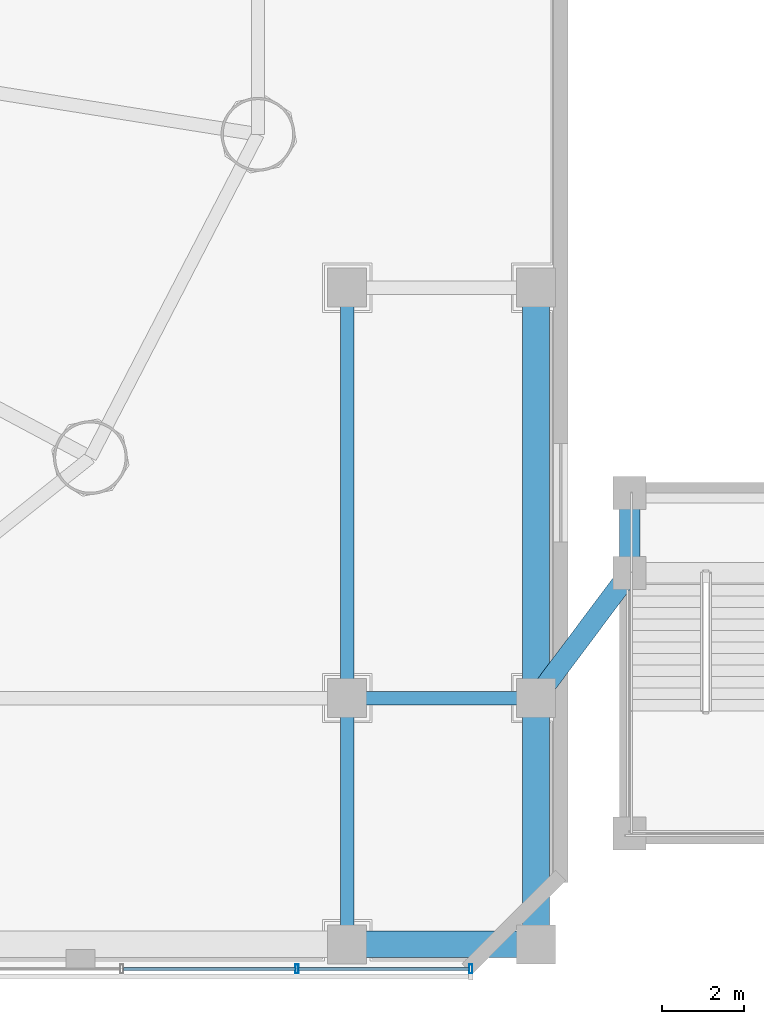
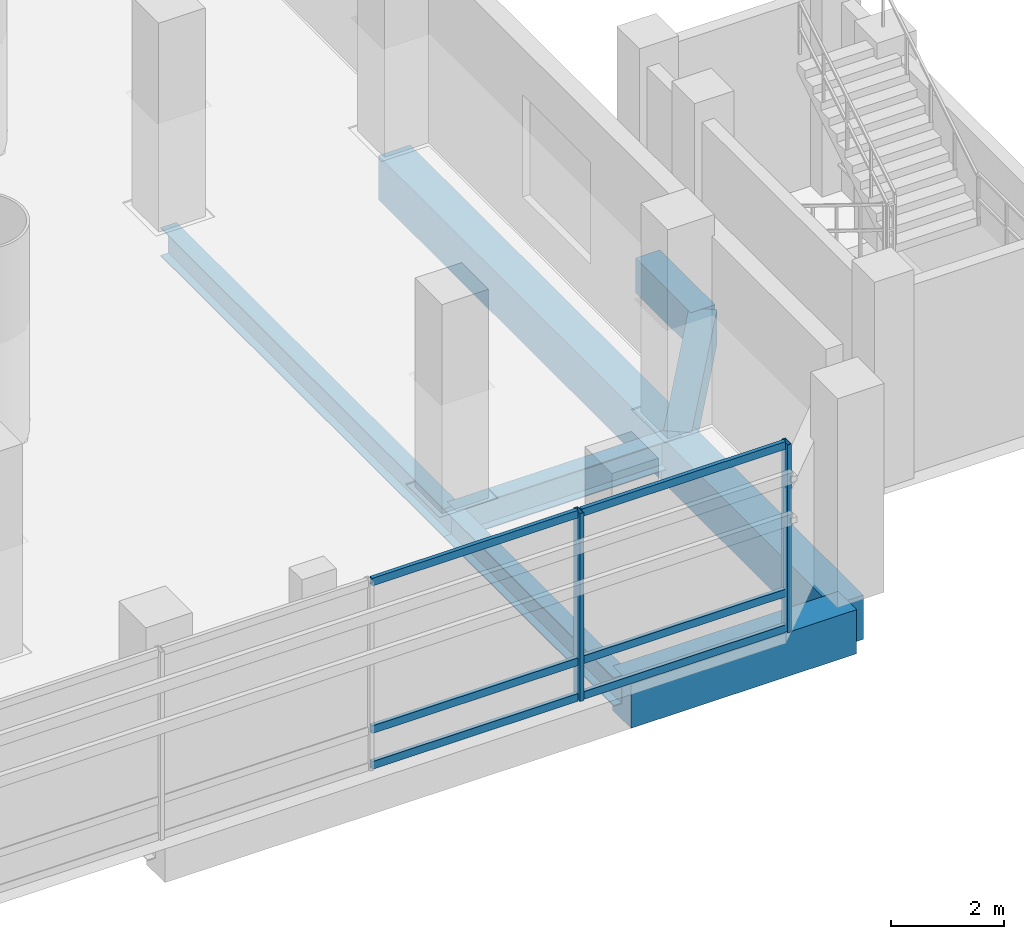
# One storey, part 16 of 36: 8 beams, 8 members, 1 element without a shape of its own.
"""IFC4 building model written with IfcOpenShell, lengths in metres."""

from ifc_helpers import new_model, si_unit, direction, frame, origin, origin_2d, place, context, subcontext, project, spatial, rectangle, hollow_rectangle, i_section, extrude, source, transform, mapped, material, material_profile, profile_set, type_object, element, aggregate, save


model = new_model("IFC4")

# Units and contexts
model_context = context("Model", 3, precision=1e-05, world=origin(), true_north=direction((-0.2419218956, 0.970295726276)))
body_context = subcontext(model_context, "Body", "Model", "MODEL_VIEW")
ifc_project = project(units=[si_unit("LENGTHUNIT", "METRE"), si_unit("AREAUNIT", "SQUARE_METRE"), si_unit("VOLUMEUNIT", "CUBIC_METRE"), si_unit("PLANEANGLEUNIT", "RADIAN"), si_unit("MASSUNIT", "GRAM", prefix="KILO")], contexts=[model_context])

# Site, building, storey
site_placement = place(None, origin())
site = spatial("IfcSite", under=ifc_project, at=site_placement, CompositionType="ELEMENT")
building_placement = place(site_placement, origin())
building = spatial("IfcBuilding", under=site, at=building_placement, Name="Cobrevalo Terracotta Tower", CompositionType="ELEMENT")
storey_placement = place(building_placement, frame((0.0, 0.0, 14.39990234375)))
storey = spatial("IfcBuildingStorey", under=building, at=storey_placement, Name="L03", CompositionType="ELEMENT", Elevation=14.39990234375)

# Beams
ifc_material_1 = material(Name="Steel S355", Category="steel")
ifc_material_profile_1 = material_profile(ifc_material_1, i_section(OverallWidth=0.324951171875, OverallDepth=0.615966796875, WebThickness=0.013916015625, FlangeThickness=0.021484375, at=origin_2d()), Name="W 610x174")
ifc_profile_set_1 = profile_set([ifc_material_profile_1], Name="Steel S355")
beam_type_1 = type_object("IfcBeamType", Name="Structural Beam W 610x174 (Steel S355)", PredefinedType="BEAM", material=ifc_profile_set_1)
beam_1_placement = place(storey_placement, frame((67.0, 2.800048828125, -0.60791015625), z_axis=(0.0, 1.0, 0.0), x_axis=(-1.0, 0.0, 0.0)))
element("IfcBeam", 1, at=beam_1_placement, inside=storey, type_object=beam_type_1, Name="L03 podium grid beam G8-GA to G8-GB", PredefinedType="BEAM", context=body_context, shape_type="SweptSolid", body=[
    extrude(i_section(OverallWidth=0.324951171875, OverallDepth=0.615966796875, WebThickness=0.013916015625, FlangeThickness=0.021484375, at=origin_2d()), origin(), (0.0, 0.0, 1.0), 6.0),
])
beam_2_placement = place(storey_placement, frame((67.0, 8.800048828125, -0.60791015625), z_axis=(0.0, 1.0, 0.0), x_axis=(-1.0, 0.0, 0.0)))
element("IfcBeam", 2, at=beam_2_placement, inside=storey, type_object=beam_type_1, Name="L03 podium grid beam G8-GB to G8-GC", PredefinedType="BEAM", context=body_context, shape_type="SweptSolid", body=[
    extrude(i_section(OverallWidth=0.324951171875, OverallDepth=0.615966796875, WebThickness=0.013916015625, FlangeThickness=0.021484375, at=origin_2d()), origin(), (0.0, 0.0, 1.0), 10.0),
])
beam_3_placement = place(storey_placement, frame((67.0, 8.800048828125, -0.60791015625), z_axis=(1.0, 0.0, 0.0), x_axis=(0.0, 1.0, 0.0)))
element("IfcBeam", 3, at=beam_3_placement, inside=storey, type_object=beam_type_1, Name="L03 podium grid beam G8-GB to G9-GB", PredefinedType="BEAM", context=body_context, shape_type="SweptSolid", body=[
    extrude(i_section(OverallWidth=0.324951171875, OverallDepth=0.615966796875, WebThickness=0.013916015625, FlangeThickness=0.021484375, at=origin_2d()), origin(), (0.0, 0.0, 1.0), 4.60009765625),
])
ifc_material_2 = material(Name="Concrete C50", Category="concrete")
ifc_material_profile_2 = material_profile(ifc_material_2, rectangle(XDim=0.64990234375, YDim=0.949951171875, at=origin_2d()), Name="RC BM 650x950")
ifc_profile_set_2 = profile_set([ifc_material_profile_2], Name="Concrete C50")
beam_type_2 = type_object("IfcBeamType", Name="Structural Spandrel RC BM 650x950 (Concrete C50)", PredefinedType="SPANDREL", material=ifc_profile_set_2)
beam_4_placement = place(storey_placement, frame((67.0, 2.800048828125, -0.77490234375), z_axis=(1.0, 0.0, 0.0), x_axis=(0.0, 1.0, 0.0)))
element("IfcBeam", 4, at=beam_4_placement, inside=storey, type_object=beam_type_2, Name="L03 podium grid beam G8-GA to G9-GA", PredefinedType="SPANDREL", context=body_context, shape_type="SweptSolid", body=[
    extrude(rectangle(XDim=0.64990234375, YDim=0.949951171875, at=origin_2d()), origin(), (0.0, 0.0, 1.0), 4.60009765625),
])
beam_5_placement = place(storey_placement, frame((71.60009765625, 2.800048828125, -0.77490234375), z_axis=(0.0, 1.0, 0.0), x_axis=(-1.0, 0.0, 0.0)))
element("IfcBeam", 5, at=beam_5_placement, inside=storey, type_object=beam_type_2, Name="L03 podium grid beam G9-GA to G9-GB", PredefinedType="SPANDREL", context=body_context, shape_type="SweptSolid", body=[
    extrude(rectangle(XDim=0.64990234375, YDim=0.949951171875, at=origin_2d()), origin(), (0.0, 0.0, 1.0), 6.0),
])
beam_6_placement = place(storey_placement, frame((71.60009765625, 8.800048828125, -0.77490234375), z_axis=(0.0, 1.0, 0.0), x_axis=(-1.0, 0.0, 0.0)))
element("IfcBeam", 6, at=beam_6_placement, inside=storey, type_object=beam_type_2, Name="L03 podium grid beam G9-GB to G9-GC", PredefinedType="SPANDREL", context=body_context, shape_type="SweptSolid", body=[
    extrude(rectangle(XDim=0.64990234375, YDim=0.949951171875, at=origin_2d()), origin(), (0.0, 0.0, 1.0), 10.0),
])
ifc_material_profile_3 = material_profile(ifc_material_2, rectangle(XDim=0.5, YDim=0.75, at=origin_2d()), Name="RC BM 500x750")
ifc_profile_set_3 = profile_set([ifc_material_profile_3], Name="Concrete C50")
beam_type_3 = type_object("IfcBeamType", Name="Structural T Beam RC BM 500x750 (Concrete C50)", PredefinedType="T_BEAM", material=ifc_profile_set_3)
beam_7_placement = place(storey_placement, frame((73.8798828125, 11.85009765625, -0.6748046875), z_axis=(0.0, 1.0, 0.0), x_axis=(-1.0, 0.0, 0.0)))
element("IfcBeam", 7, at=beam_7_placement, inside=storey, type_object=beam_type_3, Name="L03 garden stair landing side beam E1", PredefinedType="T_BEAM", context=body_context, shape_type="SweptSolid", body=[
    extrude(rectangle(XDim=0.5, YDim=0.75, at=origin_2d()), origin(), (0.0, 0.0, 1.0), 1.949951171875),
])
beam_8_placement = place(storey_placement, frame((73.8798828125, 11.85009765625, -0.6748046875), z_axis=(-0.59869640819, -0.800976036359, 0.0), x_axis=(0.800976036359, -0.59869640819, 0.0)))
element("IfcBeam", 8, at=beam_8_placement, inside=storey, type_object=beam_type_3, Name="L03 garden stair frame tie beam E1", PredefinedType="T_BEAM", context=body_context, shape_type="SweptSolid", body=[
    extrude(rectangle(XDim=0.5, YDim=0.75, at=origin_2d()), origin(), (0.0, 0.0, 1.0), 3.807861328125),
])

# Curtain wall, members
ifc_material_3 = material(Name="Anodized aluminium", Category="aluminium")
curtain_wall_type = type_object("IfcCurtainWallType", Name="Podium gallery & conservatory curtain wall CW-S2", PredefinedType="NOTDEFINED", material=ifc_material_3)
curtain_wall_placement = place(storey_placement, origin())
curtain_wall = element("IfcCurtainWall", 9, at=curtain_wall_placement, inside=storey, type_object=curtain_wall_type, Name="L03 curtain wall CW-POD-L03-S", PredefinedType="NOTDEFINED")
ifc_material_profile_4 = material_profile(ifc_material_3, hollow_rectangle(XDim=0.080078125, YDim=0.1650390625, WallThickness=0.00439453125, at=origin_2d()), Name="CWT 80x165")
ifc_profile_set_4 = profile_set([ifc_material_profile_4], Name="Anodized aluminium")
member_type_1 = type_object("IfcMemberType", Name="Storefront & atrium aluminium transom 80x165", PredefinedType="USERDEFINED", material=ifc_profile_set_4)
shared_shape_1 = source(origin(), body_context, "Body", "SweptSolid", [
    extrude(hollow_rectangle(XDim=0.080078125, YDim=0.1650390625, WallThickness=0.00439453125, at=origin_2d()), origin(), (0.0, 0.0, 1.0), 4.1533203125),
])
member_1_placement = place(storey_placement, frame((65.816650390625, 2.199951171875, 0.050048828125), z_axis=(1.0, 0.0, 0.0), x_axis=(0.0, 1.0, 0.0)))
member_1 = element("IfcMember", 10, at=member_1_placement, type_object=member_type_1, Name="CW-POD-L03-S transom B15-T1", ObjectType="TRANSOM", PredefinedType="USERDEFINED", context=body_context, shape_type="MappedRepresentation", body=[
    mapped(shared_shape_1, transform((0.0, 0.0, 0.0), scale=1.0)),
])
member_2_placement = place(storey_placement, frame((65.816650390625, 2.199951171875, 0.820068359375), z_axis=(1.0, 0.0, 0.0), x_axis=(0.0, 1.0, 0.0)))
member_2 = element("IfcMember", 11, at=member_2_placement, type_object=member_type_1, Name="CW-POD-L03-S transom B15-T2", ObjectType="TRANSOM", PredefinedType="USERDEFINED", context=body_context, shape_type="MappedRepresentation", body=[
    mapped(shared_shape_1, transform((0.0, 0.0, 0.0), scale=1.0)),
])
member_3_placement = place(storey_placement, frame((65.816650390625, 2.199951171875, 4.0), z_axis=(1.0, 0.0, 0.0), x_axis=(0.0, 1.0, 0.0)))
member_3 = element("IfcMember", 12, at=member_3_placement, type_object=member_type_1, Name="CW-POD-L03-S transom B15-T3", ObjectType="TRANSOM", PredefinedType="USERDEFINED", context=body_context, shape_type="MappedRepresentation", body=[
    mapped(shared_shape_1, transform((0.0, 0.0, 0.0), scale=1.0)),
])
shared_shape_2 = source(origin(), body_context, "Body", "SweptSolid", [
    extrude(hollow_rectangle(XDim=0.080078125, YDim=0.1650390625, WallThickness=0.00439453125, at=origin_2d()), origin(), (0.0, 0.0, 1.0), 4.193359375),
])
member_4_placement = place(storey_placement, frame((61.543212890625, 2.199951171875, 0.050048828125), z_axis=(1.0, 0.0, 0.0), x_axis=(0.0, 1.0, 0.0)))
member_4 = element("IfcMember", 13, at=member_4_placement, type_object=member_type_1, Name="CW-POD-L03-S transom B14-T1", ObjectType="TRANSOM", PredefinedType="USERDEFINED", context=body_context, shape_type="MappedRepresentation", body=[
    mapped(shared_shape_2, transform((0.0, 0.0, 0.0), scale=1.0)),
])
member_5_placement = place(storey_placement, frame((61.543212890625, 2.199951171875, 0.820068359375), z_axis=(1.0, 0.0, 0.0), x_axis=(0.0, 1.0, 0.0)))
member_5 = element("IfcMember", 14, at=member_5_placement, type_object=member_type_1, Name="CW-POD-L03-S transom B14-T2", ObjectType="TRANSOM", PredefinedType="USERDEFINED", context=body_context, shape_type="MappedRepresentation", body=[
    mapped(shared_shape_2, transform((0.0, 0.0, 0.0), scale=1.0)),
])
member_6_placement = place(storey_placement, frame((61.543212890625, 2.199951171875, 4.0), z_axis=(1.0, 0.0, 0.0), x_axis=(0.0, 1.0, 0.0)))
member_6 = element("IfcMember", 15, at=member_6_placement, type_object=member_type_1, Name="CW-POD-L03-S transom B14-T3", ObjectType="TRANSOM", PredefinedType="USERDEFINED", context=body_context, shape_type="MappedRepresentation", body=[
    mapped(shared_shape_2, transform((0.0, 0.0, 0.0), scale=1.0)),
])
ifc_material_profile_5 = material_profile(ifc_material_3, hollow_rectangle(XDim=0.080078125, YDim=0.219970703125, WallThickness=0.0048828125, at=origin_2d()), Name="CWM 80x220")
ifc_profile_set_5 = profile_set([ifc_material_profile_5], Name="Anodized aluminium")
member_type_2 = type_object("IfcMemberType", Name="Storefront & atrium aluminium mullion 80x220", PredefinedType="MULLION", material=ifc_profile_set_5)
shared_shape_3 = source(origin(), body_context, "Body", "SweptSolid", [
    extrude(hollow_rectangle(XDim=0.080078125, YDim=0.219970703125, WallThickness=0.0048828125, at=origin_2d()), origin(), (0.0, 0.0, 1.0), 4.050048828125),
])
member_7_placement = place(storey_placement, frame((65.776611328125, 2.199951171875, 0.0), z_axis=(0.0, 0.0, 1.0), x_axis=(1.0, 0.0, 0.0)))
member_7 = element("IfcMember", 16, at=member_7_placement, type_object=member_type_2, Name="CW-POD-L03-S vertical mullion 15", PredefinedType="MULLION", context=body_context, shape_type="MappedRepresentation", body=[
    mapped(shared_shape_3, transform((0.0, 0.0, 0.0), scale=1.0)),
])
member_8_placement = place(storey_placement, frame((70.010009765625, 2.199951171875, 0.0), z_axis=(0.0, 0.0, 1.0), x_axis=(1.0, 0.0, 0.0)))
member_8 = element("IfcMember", 17, at=member_8_placement, type_object=member_type_2, Name="CW-POD-L03-S vertical mullion 16", PredefinedType="MULLION", context=body_context, shape_type="MappedRepresentation", body=[
    mapped(shared_shape_3, transform((0.0, 0.0, 0.0), scale=1.0)),
])
aggregate(curtain_wall, [member_7, member_8, member_4, member_5, member_6, member_1, member_2, member_3])

save(model, "model.ifc")
